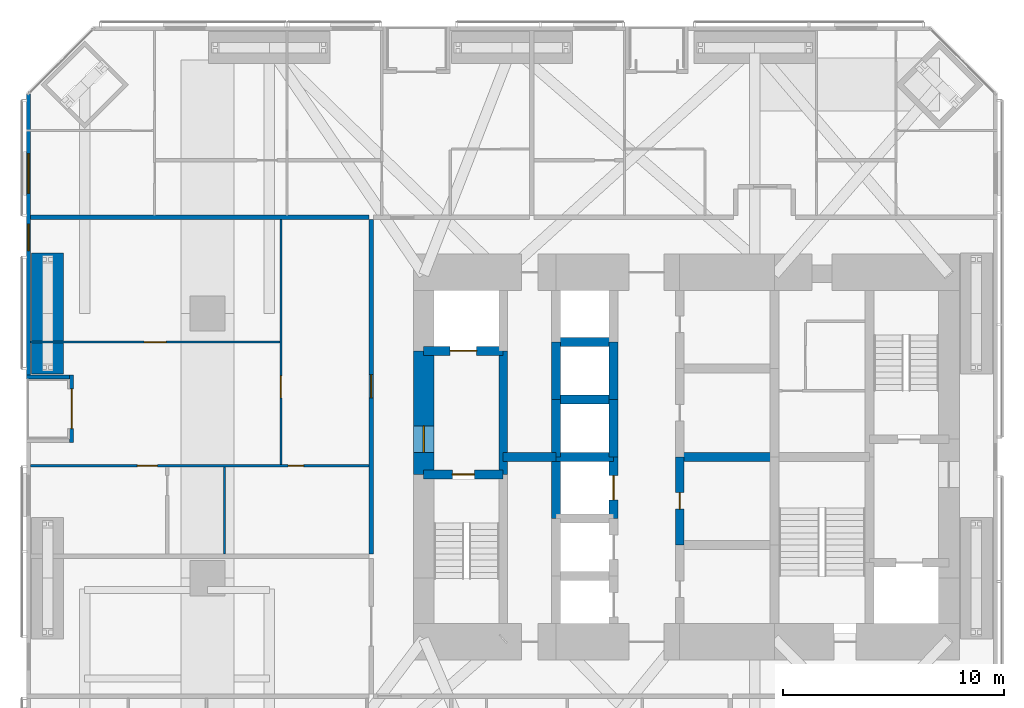
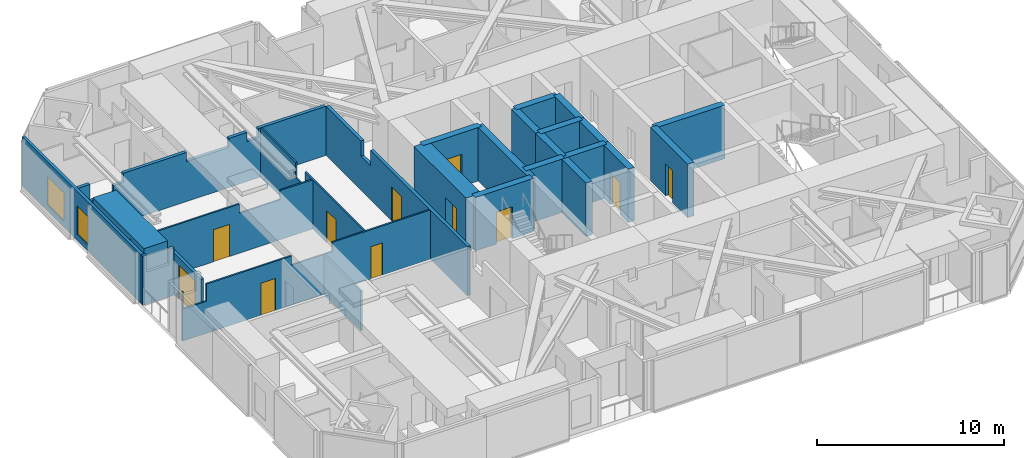
# One storey, part 17 of 22: 26 walls, 11 doors, 2 windows, 13 openings.
"""IFC4 building model written with IfcOpenShell, lengths in metres."""

from ifc_helpers import new_model, si_unit, direction, frame, frame_2d, origin, place, context, subcontext, project, spatial, polyline, rectangle, outline, extrude, material, layer, layer_set, constituent, constituent_set, type_object, element, fill, save


model = new_model("IFC4")

# Units and contexts
model_context = context("Model", 3, precision=1e-05, world=origin(), true_north=direction((0.0, 1.0)))
body_context = subcontext(model_context, "Body", "Model", "MODEL_VIEW")
ifc_project = project(units=[si_unit("LENGTHUNIT", "METRE"), si_unit("AREAUNIT", "SQUARE_METRE"), si_unit("VOLUMEUNIT", "CUBIC_METRE"), si_unit("PLANEANGLEUNIT", "RADIAN"), si_unit("MASSUNIT", "GRAM", prefix="KILO")], contexts=[model_context])

# Site, building, storey
site_placement = place(None, origin())
site = spatial("IfcSite", under=ifc_project, at=site_placement, CompositionType="ELEMENT")
building_placement = place(site_placement, origin())
building = spatial("IfcBuilding", under=site, at=building_placement, Name="Jalousie Tower", CompositionType="ELEMENT")
storey_placement = place(building_placement, frame((0.0, 0.0, 71.25)))
storey = spatial("IfcBuildingStorey", under=building, at=storey_placement, Name="L19", CompositionType="ELEMENT", Elevation=71.25)

# Walls
ifc_material_1 = material(Name="Concrete f'c 120 MPa", Category="concrete")
ifc_layer_1 = layer(ifc_material_1, 0.39990234375)
ifc_layer_set_1 = layer_set([ifc_layer_1], Name="Concrete f'c 120 MPa")
wall_type_1 = type_object("IfcWallType", Name="CORE WALL 400", PredefinedType="SHEAR", material=ifc_layer_set_1)
wall_1_placement = place(storey_placement, frame((23.60009765625, 17.699951171875, 0.0), z_axis=(0.0, 0.0, 1.0), x_axis=(0.0, 1.0, 0.0)))
element("IfcWall", 1, at=wall_1_placement, inside=storey, type_object=wall_type_1, Name="Core wall X23.6B L19", PredefinedType="SHEAR", context=body_context, shape_type="SweptSolid", body=[
    extrude(rectangle(XDim=5.60009765625, YDim=0.39990234375, at=frame_2d((2.800048828125, 0.0))), origin(), (0.0, 0.0, 1.0), 3.5),
])
wall_2_placement = place(storey_placement, frame((26.0, 15.699951171875, 0.0), z_axis=(0.0, 0.0, 1.0), x_axis=(0.0, 1.0, 0.0)))
element("IfcWall", 2, at=wall_2_placement, inside=storey, type_object=wall_type_1, Name="Core wall X26C L19", PredefinedType="SHEAR", context=body_context, shape_type="SweptSolid", body=[
    extrude(rectangle(XDim=2.800048828125, YDim=0.39990234375, at=frame_2d((1.39990234375, 0.0))), origin(), (0.0, 0.0, 1.0), 3.5),
])
wall_3_placement = place(storey_placement, frame((26.0, 18.5, 0.0), z_axis=(0.0, 0.0, 1.0), x_axis=(0.0, 1.0, 0.0)))
element("IfcWall", 3, at=wall_3_placement, inside=storey, type_object=wall_type_1, Name="Core wall X26D L19", PredefinedType="SHEAR", context=body_context, shape_type="SweptSolid", body=[
    extrude(rectangle(XDim=2.60009765625, YDim=0.39990234375, at=frame_2d((1.300048828125, 0.0))), origin(), (0.0, 0.0, 1.0), 3.5),
])
wall_4_placement = place(storey_placement, frame((26.0, 21.10009765625, 0.0), z_axis=(0.0, 0.0, 1.0), x_axis=(0.0, 1.0, 0.0)))
element("IfcWall", 4, at=wall_4_placement, inside=storey, type_object=wall_type_1, Name="Core wall X26E L19", PredefinedType="SHEAR", context=body_context, shape_type="SweptSolid", body=[
    extrude(rectangle(XDim=2.599853515625, YDim=0.39990234375, at=frame_2d((1.2998046875, 0.0))), origin(), (0.0, 0.0, 1.0), 3.5),
])

# Wall, opening, door
wall_5_placement = place(storey_placement, frame((28.60009765625, 15.699951171875, 0.0), z_axis=(0.0, 0.0, 1.0), x_axis=(0.0, 1.0, 0.0)))
wall_5 = element("IfcWall", 5, at=wall_5_placement, inside=storey, type_object=wall_type_1, Name="Core wall X28.6C L19", PredefinedType="SHEAR", context=body_context, shape_type="SweptSolid", body=[
    extrude(rectangle(XDim=2.800048828125, YDim=0.39990234375, at=frame_2d((1.39990234375, 0.0))), origin(), (0.0, 0.0, 1.0), 3.5),
])
opening_1_placement = place(wall_5_placement, frame((0.85009765625, 0.0, 0.0)))
opening_1 = element("IfcOpeningElement", 6, at=opening_1_placement, cuts=wall_5, Name="Opening LD1", PredefinedType="OPENING", context=body_context, shape_type="SweptSolid", body=[
    extrude(rectangle(XDim=1.10009765625, YDim=2.10009765625, at=frame_2d((0.550048828125, 1.050048828125))), frame((0.0, 0.2099609375, 0.0), z_axis=(0.0, -1.0, 0.0), x_axis=(1.0, 0.0, 0.0)), (0.0, 0.0, 1.0), 0.419921875),
])
ifc_material_2 = material(Name="Steel lift landing door", Category="steel")
door_type_1 = type_object("IfcDoorType", Name="LIFT LANDING DOOR 1100", OperationType="SLIDING_TO_LEFT", PredefinedType="DOOR", material=ifc_material_2)
door_1_placement = place(opening_1_placement, origin())
door_1 = element("IfcDoor", 7, at=door_1_placement, inside=storey, type_object=door_type_1, Name="Lift P3 landing door", OperationType="SLIDING_TO_LEFT", OverallHeight=2.10009765625, OverallWidth=1.10009765625, PredefinedType="DOOR", context=body_context, shape_type="SweptSolid", body=[
    extrude(rectangle(XDim=1.10009765625, YDim=2.10009765625, at=frame_2d((0.550048828125, 1.050048828125))), frame((0.0, 0.02490234375, 0.0), z_axis=(0.0, -1.0, 0.0), x_axis=(1.0, 0.0, 0.0)), (0.0, 0.0, 1.0), 0.050048828125),
])
fill(opening_1, door_1)

# Walls
wall_6_placement = place(storey_placement, frame((28.60009765625, 18.5, 0.0), z_axis=(0.0, 0.0, 1.0), x_axis=(0.0, 1.0, 0.0)))
element("IfcWall", 8, at=wall_6_placement, inside=storey, type_object=wall_type_1, Name="Core wall X28.6D L19", PredefinedType="SHEAR", context=body_context, shape_type="SweptSolid", body=[
    extrude(rectangle(XDim=2.60009765625, YDim=0.39990234375, at=frame_2d((1.300048828125, 0.0))), origin(), (0.0, 0.0, 1.0), 3.5),
])
wall_7_placement = place(storey_placement, frame((28.60009765625, 21.10009765625, 0.0), z_axis=(0.0, 0.0, 1.0), x_axis=(0.0, 1.0, 0.0)))
element("IfcWall", 9, at=wall_7_placement, inside=storey, type_object=wall_type_1, Name="Core wall X28.6E L19", PredefinedType="SHEAR", context=body_context, shape_type="SweptSolid", body=[
    extrude(rectangle(XDim=2.599853515625, YDim=0.39990234375, at=frame_2d((1.2998046875, 0.0))), origin(), (0.0, 0.0, 1.0), 3.5),
])

# Wall, opening, door
wall_8_placement = place(storey_placement, frame((31.60009765625, 14.5, 0.0), z_axis=(0.0, 0.0, 1.0), x_axis=(0.0, 1.0, 0.0)))
wall_8 = element("IfcWall", 10, at=wall_8_placement, inside=storey, type_object=wall_type_1, Name="Core wall X31.6B L19", PredefinedType="SHEAR", context=body_context, shape_type="SweptSolid", body=[
    extrude(rectangle(XDim=4.0, YDim=0.39990234375, at=frame_2d((2.0, 0.0))), origin(), (0.0, 0.0, 1.0), 3.5),
])
opening_2_placement = place(wall_8_placement, frame((1.625, 0.0, 0.0)))
opening_2 = element("IfcOpeningElement", 11, at=opening_2_placement, cuts=wall_8, Name="Opening D16", PredefinedType="OPENING", context=body_context, shape_type="SweptSolid", body=[
    extrude(rectangle(XDim=0.75, YDim=2.10009765625, at=frame_2d((0.375, 1.050048828125))), frame((0.0, 0.2099609375, 0.0), z_axis=(0.0, -1.0, 0.0), x_axis=(1.0, 0.0, 0.0)), (0.0, 0.0, 1.0), 0.419921875),
])
ifc_material_3 = material(Name="Steel fire door", Category="steel")
door_type_2 = type_object("IfcDoorType", Name="RISER DOOR 750", OperationType="SINGLE_SWING_LEFT", PredefinedType="DOOR", material=ifc_material_3)
door_2_placement = place(opening_2_placement, frame((0.75, 0.0, 0.0), z_axis=(0.0, 0.0, 1.0), x_axis=(-1.0, 0.0, 0.0)))
door_2 = element("IfcDoor", 12, at=door_2_placement, inside=storey, type_object=door_type_2, Name="Electrical Room door", OperationType="SINGLE_SWING_LEFT", OverallHeight=2.10009765625, OverallWidth=0.75, PredefinedType="DOOR", context=body_context, shape_type="SweptSolid", body=[
    extrude(rectangle(XDim=0.75, YDim=2.10009765625, at=frame_2d((0.375, 1.050048828125))), frame((0.0, 0.02490234375, 0.0), z_axis=(0.0, -1.0, 0.0), x_axis=(1.0, 0.0, 0.0)), (0.0, 0.0, 1.0), 0.050048828125),
])
fill(opening_2, door_2)

wall_9_placement = place(storey_placement, frame((20.0, 17.699951171875, 0.0), z_axis=(0.0, 0.0, 1.0), x_axis=(1.0, 0.0, 0.0)))
wall_9 = element("IfcWall", 13, at=wall_9_placement, inside=storey, type_object=wall_type_1, Name="Core wall Y20-17.7 L19", PredefinedType="SHEAR", context=body_context, shape_type="SweptSolid", body=[
    extrude(rectangle(XDim=3.60009765625, YDim=0.39990234375, at=frame_2d((1.800048828125, 0.0))), origin(), (0.0, 0.0, 1.0), 3.5),
])
opening_3_placement = place(wall_9_placement, frame((1.300048828125, 0.0, 0.0)))
opening_3 = element("IfcOpeningElement", 14, at=opening_3_placement, cuts=wall_9, Name="Opening D10", PredefinedType="OPENING", context=body_context, shape_type="SweptSolid", body=[
    extrude(rectangle(XDim=1.0, YDim=2.10009765625, at=frame_2d((0.5, 1.050048828125))), frame((0.0, 0.2099609375, 0.0), z_axis=(0.0, -1.0, 0.0), x_axis=(1.0, 0.0, 0.0)), (0.0, 0.0, 1.0), 0.419921875),
])
ifc_material_4 = material(Name="Steel fire door", Category="steel")
door_type_3 = type_object("IfcDoorType", Name="STAIR DOOR 1000", OperationType="SINGLE_SWING_LEFT", PredefinedType="DOOR", material=ifc_material_4)
door_3_placement = place(opening_3_placement, frame((1.0, 0.0, 0.0), z_axis=(0.0, 0.0, 1.0), x_axis=(-1.0, 0.0, 0.0)))
door_3 = element("IfcDoor", 15, at=door_3_placement, inside=storey, type_object=door_type_3, Name="Exit stair A door", OperationType="SINGLE_SWING_RIGHT", OverallHeight=2.10009765625, OverallWidth=1.0, PredefinedType="DOOR", context=body_context, shape_type="SweptSolid", body=[
    extrude(rectangle(XDim=1.0, YDim=2.10009765625, at=frame_2d((0.5, 1.050048828125))), frame((0.0, 0.02490234375, 0.0), z_axis=(0.0, -1.0, 0.0), x_axis=(1.0, 0.0, 0.0)), (0.0, 0.0, 1.0), 0.050048828125),
])
fill(opening_3, door_3)

wall_10_placement = place(storey_placement, frame((20.0, 23.300048828125, 0.0), z_axis=(0.0, 0.0, 1.0), x_axis=(1.0, 0.0, 0.0)))
wall_10 = element("IfcWall", 16, at=wall_10_placement, inside=storey, type_object=wall_type_1, Name="Core wall Y20-23.3 L19", PredefinedType="SHEAR", context=body_context, shape_type="SweptSolid", body=[
    extrude(rectangle(XDim=3.60009765625, YDim=0.39990234375, at=frame_2d((1.800048828125, 0.0))), origin(), (0.0, 0.0, 1.0), 3.5),
])
opening_4_placement = place(wall_10_placement, frame((1.199951171875, 0.0, 0.0)))
opening_4 = element("IfcOpeningElement", 17, at=opening_4_placement, cuts=wall_10, Name="Opening LD2", PredefinedType="OPENING", context=body_context, shape_type="SweptSolid", body=[
    extrude(rectangle(XDim=1.199951171875, YDim=2.10009765625, at=frame_2d((0.60009765625, 1.050048828125))), frame((0.0, 0.2099609375, 0.0), z_axis=(0.0, -1.0, 0.0), x_axis=(1.0, 0.0, 0.0)), (0.0, 0.0, 1.0), 0.419921875),
])
ifc_material_5 = material(Name="Steel lift landing door", Category="steel")
door_type_4 = type_object("IfcDoorType", Name="LIFT LANDING DOOR 1200", OperationType="SLIDING_TO_LEFT", PredefinedType="DOOR", material=ifc_material_5)
door_4_placement = place(opening_4_placement, origin())
door_4 = element("IfcDoor", 18, at=door_4_placement, inside=storey, type_object=door_type_4, Name="Lift F1 landing door", OperationType="SLIDING_TO_LEFT", OverallHeight=2.10009765625, OverallWidth=1.199951171875, PredefinedType="DOOR", context=body_context, shape_type="SweptSolid", body=[
    extrude(rectangle(XDim=1.199951171875, YDim=2.10009765625, at=frame_2d((0.60009765625, 1.050048828125))), frame((0.0, 0.02490234375, 0.0), z_axis=(0.0, -1.0, 0.0), x_axis=(1.0, 0.0, 0.0)), (0.0, 0.0, 1.0), 0.050048828125),
])
fill(opening_4, door_4)

# Walls
wall_11_placement = place(storey_placement, frame((23.60009765625, 18.5, 0.0), z_axis=(0.0, 0.0, 1.0), x_axis=(1.0, 0.0, 0.0)))
element("IfcWall", 19, at=wall_11_placement, inside=storey, type_object=wall_type_1, Name="Core wall Y23.6-18.5 L19", PredefinedType="SHEAR", context=body_context, shape_type="SweptSolid", body=[
    extrude(rectangle(XDim=2.39990234375, YDim=0.39990234375, at=frame_2d((1.199951171875, 0.0))), origin(), (0.0, 0.0, 1.0), 3.5),
])
for number, where, z_axis, x_axis, name in (
    (20, (26.0, 18.5, 0.0), (0.0, 0.0, 1.0), (1.0, 0.0, 0.0), "Core wall Y26-18.5 L19"),
    (21, (26.0, 21.10009765625, 0.0), (0.0, 0.0, 1.0), (1.0, 0.0, 0.0), "Core wall Y26-21.1 L19"),
    (22, (26.0, 23.699951171875, 0.0), (0.0, 0.0, 1.0), (1.0, 0.0, 0.0), "Core wall Y26-23.7 L19"),
):
    element("IfcWall", number, at=place(storey_placement, frame(where, z_axis=z_axis, x_axis=x_axis)), inside=storey, type_object=wall_type_1, Name=name, PredefinedType="SHEAR", context=body_context, shape_type="SweptSolid", body=[
        extrude(rectangle(XDim=2.60009765625, YDim=0.39990234375, at=frame_2d((1.300048828125, 0.0))), origin(), (0.0, 0.0, 1.0), 3.5),
    ])
wall_12_placement = place(storey_placement, frame((31.60009765625, 18.5, 0.0), z_axis=(0.0, 0.0, 1.0), x_axis=(1.0, 0.0, 0.0)))
element("IfcWall", 23, at=wall_12_placement, inside=storey, type_object=wall_type_1, Name="Core wall Y31.6-18.5 L19", PredefinedType="SHEAR", context=body_context, shape_type="SweptSolid", body=[
    extrude(rectangle(XDim=4.2998046875, YDim=0.39990234375, at=frame_2d((2.14990234375, 0.0))), origin(), (0.0, 0.0, 1.0), 3.5),
])

# Wall, opening, door
ifc_material_6 = material(Name="Concrete f'c 120 MPa", Category="concrete")
ifc_layer_2 = layer(ifc_material_6, 0.949951171875)
ifc_layer_set_2 = layer_set([ifc_layer_2], Name="Concrete f'c 120 MPa")
wall_type_2 = type_object("IfcWallType", Name="CORE WALL 950", PredefinedType="SHEAR", material=ifc_layer_set_2)
wall_13_placement = place(storey_placement, frame((20.0, 23.300048828125, 0.0), z_axis=(0.0, 0.0, 1.0), x_axis=(0.0, -1.0, 0.0)))
wall_13 = element("IfcWall", 24, at=wall_13_placement, inside=storey, type_object=wall_type_2, Name="Core wall WB L19", PredefinedType="SHEAR", context=body_context, shape_type="SweptSolid", body=[
    extrude(rectangle(XDim=5.60009765625, YDim=0.949951171875, at=frame_2d((2.800048828125, 0.0))), origin(), (0.0, 0.0, 1.0), 3.5),
])
opening_5_placement = place(wall_13_placement, frame((3.39990234375, 0.0, 0.0)))
opening_5 = element("IfcOpeningElement", 25, at=opening_5_placement, cuts=wall_13, Name="Opening D11", PredefinedType="OPENING", context=body_context, shape_type="SweptSolid", body=[
    extrude(rectangle(XDim=1.199951171875, YDim=2.199951171875, at=frame_2d((0.60009765625, 1.10009765625))), frame((0.0, 0.48486328125, 0.0), z_axis=(0.0, -1.0, 0.0), x_axis=(1.0, 0.0, 0.0)), (0.0, 0.0, 1.0), 0.969970703125),
])
ifc_material_7 = material(Name="Steel fire door", Category="steel")
door_type_5 = type_object("IfcDoorType", Name="FIRE DOOR 1200", OperationType="SINGLE_SWING_LEFT", PredefinedType="DOOR", material=ifc_material_7)
door_5_placement = place(opening_5_placement, origin())
door_5 = element("IfcDoor", 26, at=door_5_placement, inside=storey, type_object=door_type_5, Name="Fire-fighting lobby A door", OperationType="SINGLE_SWING_RIGHT", OverallHeight=2.199951171875, OverallWidth=1.199951171875, PredefinedType="DOOR", context=body_context, shape_type="SweptSolid", body=[
    extrude(rectangle(XDim=1.199951171875, YDim=2.199951171875, at=frame_2d((0.60009765625, 1.10009765625))), frame((0.0, 0.02490234375, 0.0), z_axis=(0.0, -1.0, 0.0), x_axis=(1.0, 0.0, 0.0)), (0.0, 0.0, 1.0), 0.050048828125),
])
fill(opening_5, door_5)

ifc_material_8 = material(Name="Concrete block ASTM C90", Category="concrete")
ifc_constituent_1 = constituent(ifc_material_8, Name="Body")
ifc_material_9 = material(Name="Render")
ifc_constituent_2 = constituent(ifc_material_9, Name="Finish")
ifc_constituent_set_1 = constituent_set(constituents=[ifc_constituent_1, ifc_constituent_2])
wall_type_3 = type_object("IfcWallType", Name="CORRIDOR WALL 200", PredefinedType="PARTITIONING", material=ifc_constituent_set_1)
wall_14_placement = place(storey_placement, frame((17.625, 14.10009765625, 0.0), z_axis=(0.0, 0.0, 1.0), x_axis=(0.0, 1.0, 0.0)))
wall_14 = element("IfcWall", 27, at=wall_14_placement, inside=storey, type_object=wall_type_3, Name="Corridor Wall 200 L19", PredefinedType="PARTITIONING", context=body_context, shape_type="SweptSolid", body=[
    extrude(outline(polyline([(0.0, 0.0), (15.14990234375, 0.0), (15.14990234375, 3.219970703125), (11.39990234375, 3.219970703125), (11.39990234375, 2.219970703125), (10.39990234375, 2.219970703125), (10.39990234375, 3.219970703125), (0.0, 3.219970703125), (0.0, 0.0)])), frame((0.0, 0.10009765625, 0.0), z_axis=(0.0, -1.0, 0.0), x_axis=(1.0, 0.0, 0.0)), (0.0, 0.0, 1.0), 0.199951171875),
])
opening_6_placement = place(wall_14_placement, frame((7.074951171875, 0.0, 0.0)))
opening_6 = element("IfcOpeningElement", 28, at=opening_6_placement, cuts=wall_14, Name="Opening D1", PredefinedType="OPENING", context=body_context, shape_type="SweptSolid", body=[
    extrude(rectangle(XDim=1.050048828125, YDim=2.199951171875, at=frame_2d((0.52490234375, 1.10009765625))), frame((0.0, 0.10986328125, 0.0), z_axis=(0.0, -1.0, 0.0), x_axis=(1.0, 0.0, 0.0)), (0.0, 0.0, 1.0), 0.219970703125),
])
ifc_material_10 = material(Name="Timber fire door", Category="wood")
door_type_6 = type_object("IfcDoorType", Name="APARTMENT ENTRANCE DOOR 1050", OperationType="SINGLE_SWING_LEFT", PredefinedType="DOOR", material=ifc_material_10)
door_6_placement = place(opening_6_placement, origin())
door_6 = element("IfcDoor", 29, at=door_6_placement, inside=storey, type_object=door_type_6, Name="Apartment 1905 entrance", OperationType="SINGLE_SWING_RIGHT", OverallHeight=2.199951171875, OverallWidth=1.050048828125, PredefinedType="DOOR", context=body_context, shape_type="SweptSolid", body=[
    extrude(rectangle(XDim=1.050048828125, YDim=2.199951171875, at=frame_2d((0.52490234375, 1.10009765625))), frame((0.0, 0.02490234375, 0.0), z_axis=(0.0, -1.0, 0.0), x_axis=(1.0, 0.0, 0.0)), (0.0, 0.0, 1.0), 0.050048828125),
])
fill(opening_6, door_6)

# Wall, openings, windows
ifc_material_11 = material(Name="Concrete f'c 40 MPa", Category="concrete")
ifc_constituent_3 = constituent(ifc_material_11, Name="Body")
ifc_material_12 = material(Name="Render, pastel coral")
ifc_constituent_4 = constituent(ifc_material_12, Name="Finish")
ifc_constituent_set_2 = constituent_set(constituents=[ifc_constituent_3, ifc_constituent_4])
wall_type_4 = type_object("IfcWallType", Name="EXTERNAL WALL 175 CORAL RENDER", PredefinedType="SOLIDWALL", material=ifc_constituent_set_2)
wall_15_placement = place(storey_placement, frame((2.08740234375, 34.94873046875, 0.0), z_axis=(0.0, 0.0, 1.0), x_axis=(0.0, -1.0, 0.0)))
wall_15 = element("IfcWall", 30, at=wall_15_placement, inside=storey, type_object=wall_type_4, Name="External Wall 175 Coral Render L19", PredefinedType="SOLIDWALL", context=body_context, shape_type="SweptSolid", body=[
    extrude(rectangle(XDim=12.748779296875, YDim=0.175048828125, at=frame_2d((6.37451171875, 0.0))), origin(), (0.0, 0.0, 1.0), 3.219970703125),
])
opening_7_placement = place(wall_15_placement, frame((2.704345703125, 0.0, 0.39990234375)))
opening_7 = element("IfcOpeningElement", 31, at=opening_7_placement, cuts=wall_15, Name="Opening W-BED185", PredefinedType="OPENING", context=body_context, shape_type="SweptSolid", body=[
    extrude(rectangle(XDim=1.800048828125, YDim=1.85009765625, at=frame_2d((0.89990234375, 0.925048828125))), frame((0.0, 0.097412109375, 0.0), z_axis=(0.0, -1.0, 0.0), x_axis=(1.0, 0.0, 0.0)), (0.0, 0.0, 1.0), 0.195068359375),
])
opening_8_placement = place(wall_15_placement, frame((5.898681640625, 0.0, 0.39990234375)))
opening_8 = element("IfcOpeningElement", 32, at=opening_8_placement, cuts=wall_15, Name="Opening W-COR185", PredefinedType="OPENING", context=body_context, shape_type="SweptSolid", body=[
    extrude(rectangle(XDim=1.199951171875, YDim=1.85009765625, at=frame_2d((0.60009765625, 0.925048828125))), frame((0.0, 0.097412109375, 0.0), z_axis=(0.0, -1.0, 0.0), x_axis=(1.0, 0.0, 0.0)), (0.0, 0.0, 1.0), 0.195068359375),
])
ifc_material_13 = material(Name="Aluminium frame, impact-rated glazing", Category="aluminium")
window_type_1 = type_object("IfcWindowType", Name="WINDOW BED 1800x1850", PartitioningType="SINGLE_PANEL", PredefinedType="WINDOW", material=ifc_material_13)
window_1_placement = place(opening_7_placement, origin())
window_1 = element("IfcWindow", 33, at=window_1_placement, inside=storey, type_object=window_type_1, Name="Apartment 1903 bedroom 1 window", OverallHeight=1.85009765625, OverallWidth=1.800048828125, PartitioningType="SINGLE_PANEL", PredefinedType="WINDOW", context=body_context, shape_type="SweptSolid", body=[
    extrude(rectangle(XDim=1.800048828125, YDim=1.85009765625, at=frame_2d((0.89990234375, 0.925048828125))), frame((0.0, 0.030029296875, 0.0), z_axis=(0.0, -1.0, 0.0), x_axis=(1.0, 0.0, 0.0)), (0.0, 0.0, 1.0), 0.06005859375),
])
fill(opening_7, window_1)
ifc_material_14 = material(Name="Aluminium frame, impact-rated glazing", Category="aluminium")
window_type_2 = type_object("IfcWindowType", Name="WINDOW COR 1200x1850", PartitioningType="SINGLE_PANEL", PredefinedType="WINDOW", material=ifc_material_14)
window_2_placement = place(opening_8_placement, origin())
window_2 = element("IfcWindow", 34, at=window_2_placement, inside=storey, type_object=window_type_2, Name="Apartment 1905 dining room window", OverallHeight=1.85009765625, OverallWidth=1.199951171875, PartitioningType="SINGLE_PANEL", PredefinedType="WINDOW", context=body_context, shape_type="SweptSolid", body=[
    extrude(rectangle(XDim=1.199951171875, YDim=1.85009765625, at=frame_2d((0.60009765625, 0.925048828125))), frame((0.0, 0.030029296875, 0.0), z_axis=(0.0, -1.0, 0.0), x_axis=(1.0, 0.0, 0.0)), (0.0, 0.0, 1.0), 0.06005859375),
])
fill(opening_8, window_2)

# Wall, opening, door
wall_16_placement = place(storey_placement, frame((4.03759765625, 22.199951171875, 0.0), z_axis=(0.0, 0.0, 1.0), x_axis=(0.0, -1.0, 0.0)))
wall_16 = element("IfcWall", 35, at=wall_16_placement, inside=storey, type_object=wall_type_4, Name="External Wall 175 Coral Render L19", PredefinedType="SOLIDWALL", context=body_context, shape_type="SweptSolid", body=[
    extrude(rectangle(XDim=3.050048828125, YDim=0.175048828125, at=frame_2d((1.52490234375, 0.0))), origin(), (0.0, 0.0, 1.0), 2.76513671875),
])
opening_9_placement = place(wall_16_placement, frame((0.625, 0.0, 0.0)))
opening_9 = element("IfcOpeningElement", 36, at=opening_9_placement, cuts=wall_16, Name="Opening D-BAL22", PredefinedType="OPENING", context=body_context, shape_type="SweptSolid", body=[
    extrude(rectangle(XDim=1.800048828125, YDim=2.25, at=frame_2d((0.89990234375, 1.125))), frame((0.0, 0.097412109375, 0.0), z_axis=(0.0, -1.0, 0.0), x_axis=(1.0, 0.0, 0.0)), (0.0, 0.0, 1.0), 0.195068359375),
])
ifc_material_15 = material(Name="Aluminium frame, impact-rated glazing", Category="aluminium")
door_type_7 = type_object("IfcDoorType", Name="BALCONY DOOR 1800x2250", OperationType="SLIDING_TO_LEFT", PredefinedType="DOOR", material=ifc_material_15)
door_7_placement = place(opening_9_placement, origin())
door_7 = element("IfcDoor", 37, at=door_7_placement, inside=storey, type_object=door_type_7, Name="Apartment 1905 living room loggia door", OperationType="SLIDING_TO_LEFT", OverallHeight=2.25, OverallWidth=1.800048828125, PredefinedType="DOOR", context=body_context, shape_type="SweptSolid", body=[
    extrude(rectangle(XDim=1.800048828125, YDim=2.25, at=frame_2d((0.89990234375, 1.125))), frame((0.0, 0.02490234375, 0.0), z_axis=(0.0, -1.0, 0.0), x_axis=(1.0, 0.0, 0.0)), (0.0, 0.0, 1.0), 0.050048828125),
])
fill(opening_9, door_7)

# Wall
wall_17_placement = place(storey_placement, frame((2.0, 22.112548828125, 0.0), z_axis=(0.0, 0.0, 1.0), x_axis=(1.0, 0.0, 0.0)))
element("IfcWall", 38, at=wall_17_placement, inside=storey, type_object=wall_type_4, Name="External Wall 175 Coral Render L19", PredefinedType="SOLIDWALL", context=body_context, shape_type="SweptSolid", body=[
    extrude(outline(polyline([(0.0, 0.0), (1.949951171875, 0.0), (1.949951171875, 3.094482421875), (1.64990234375, 3.094482421875), (1.64990234375, 2.10009765625), (0.25, 2.10009765625), (0.25, 3.219970703125), (0.0, 3.219970703125), (0.0, 0.0)])), frame((0.0, 0.08740234375, 0.0), z_axis=(0.0, -1.0, 0.0), x_axis=(1.0, 0.0, 0.0)), (0.0, 0.0, 1.0), 0.175048828125),
])

# Wall, openings, doors
ifc_material_16 = material(Name="Gypsum board", Category="gypsum")
ifc_constituent_5 = constituent(ifc_material_16, Name="Body")
ifc_material_17 = material(Name="Light-gauge steel studs ASTM A653 SS Grade 33", Category="steel")
ifc_constituent_6 = constituent(ifc_material_17, Name="Framing")
ifc_constituent_set_3 = constituent_set(constituents=[ifc_constituent_5, ifc_constituent_6])
wall_type_5 = type_object("IfcWallType", Name="PARTITION 100", PredefinedType="PARTITIONING", material=ifc_constituent_set_3)
wall_18_placement = place(storey_placement, frame((2.175048828125, 18.10009765625, 0.0), z_axis=(0.0, 0.0, 1.0), x_axis=(1.0, 0.0, 0.0)))
wall_18 = element("IfcWall", 39, at=wall_18_placement, inside=storey, type_object=wall_type_5, Name="Partition 100 L19", PredefinedType="PARTITIONING", context=body_context, shape_type="SweptSolid", body=[
    extrude(outline(polyline([(0.0, 0.0), (15.349853515625, 0.0), (15.35009765625, 3.219970703125), (9.284912109375, 3.219970703125), (9.284912109375, 2.6201171875), (6.764892578125, 2.6201171875), (6.764892578125, 3.219970703125), (1.47509765625, 3.219970703125), (1.47509765625, 2.10009765625), (0.074951171875, 2.10009765625), (0.074951171875, 3.219970703125), (0.0, 3.219970703125), (0.0, 0.0)])), frame((0.0, 0.050048828125, 0.0), z_axis=(0.0, -1.0, 0.0), x_axis=(1.0, 0.0, 0.0)), (0.0, 0.0, 1.0), 0.10009765625),
])
opening_10_placement = place(wall_18_placement, frame((4.85009765625, 0.0, 0.0)))
opening_10 = element("IfcOpeningElement", 40, at=opening_10_placement, cuts=wall_18, Name="Opening D2", PredefinedType="OPENING", context=body_context, shape_type="SweptSolid", body=[
    extrude(rectangle(XDim=0.89990234375, YDim=2.10009765625, at=frame_2d((0.449951171875, 1.050048828125))), frame((0.0, 0.06005859375, 0.0), z_axis=(0.0, -1.0, 0.0), x_axis=(1.0, 0.0, 0.0)), (0.0, 0.0, 1.0), 0.1201171875),
])
opening_11_placement = place(wall_18_placement, frame((11.675048828125, 0.0, 0.0)))
opening_11 = element("IfcOpeningElement", 41, at=opening_11_placement, cuts=wall_18, Name="Opening D4", PredefinedType="OPENING", context=body_context, shape_type="SweptSolid", body=[
    extrude(rectangle(XDim=0.699951171875, YDim=2.10009765625, at=frame_2d((0.35009765625, 1.050048828125))), frame((0.0, 0.06005859375, 0.0), z_axis=(0.0, -1.0, 0.0), x_axis=(1.0, 0.0, 0.0)), (0.0, 0.0, 1.0), 0.1201171875),
])
ifc_material_18 = material(Name="Timber door", Category="wood")
door_type_8 = type_object("IfcDoorType", Name="BEDROOM DOOR 900", OperationType="SINGLE_SWING_LEFT", PredefinedType="DOOR", material=ifc_material_18)
door_8_placement = place(opening_10_placement, frame((0.89990234375, 0.0, 0.0), z_axis=(0.0, 0.0, 1.0), x_axis=(-1.0, 0.0, 0.0)))
door_8 = element("IfcDoor", 42, at=door_8_placement, inside=storey, type_object=door_type_8, Name="Apartment 1905 bedroom 1 door", OperationType="SINGLE_SWING_LEFT", OverallHeight=2.10009765625, OverallWidth=0.89990234375, PredefinedType="DOOR", context=body_context, shape_type="SweptSolid", body=[
    extrude(rectangle(XDim=0.89990234375, YDim=2.10009765625, at=frame_2d((0.449951171875, 1.050048828125))), frame((0.0, 0.02490234375, 0.0), z_axis=(0.0, -1.0, 0.0), x_axis=(1.0, 0.0, 0.0)), (0.0, 0.0, 1.0), 0.050048828125),
])
fill(opening_10, door_8)
ifc_material_19 = material(Name="Timber door", Category="wood")
door_type_9 = type_object("IfcDoorType", Name="STORE DOOR 700", OperationType="SINGLE_SWING_LEFT", PredefinedType="DOOR", material=ifc_material_19)
door_9_placement = place(opening_11_placement, frame((0.699951171875, 0.0, 0.0), z_axis=(0.0, 0.0, 1.0), x_axis=(-1.0, 0.0, 0.0)))
door_9 = element("IfcDoor", 43, at=door_9_placement, inside=storey, type_object=door_type_9, Name="Apartment 1905 store door", OperationType="SINGLE_SWING_RIGHT", OverallHeight=2.10009765625, OverallWidth=0.699951171875, PredefinedType="DOOR", context=body_context, shape_type="SweptSolid", body=[
    extrude(rectangle(XDim=0.699951171875, YDim=2.10009765625, at=frame_2d((0.35009765625, 1.050048828125))), frame((0.0, 0.02490234375, 0.0), z_axis=(0.0, -1.0, 0.0), x_axis=(1.0, 0.0, 0.0)), (0.0, 0.0, 1.0), 0.050048828125),
])
fill(opening_11, door_9)

# Wall
wall_19_placement = place(storey_placement, frame((10.97509765625, 14.10009765625, 0.0), z_axis=(0.0, 0.0, 1.0), x_axis=(0.0, 1.0, 0.0)))
element("IfcWall", 44, at=wall_19_placement, inside=storey, type_object=wall_type_5, Name="Partition 100 L19", PredefinedType="PARTITIONING", context=body_context, shape_type="SweptSolid", body=[
    extrude(outline(polyline([(0.0, 0.0), (3.949951171875, 0.0), (3.949951171875, 3.219970703125), (3.949951171875, 2.6201171875), (0.0, 2.6201171875), (0.0, 3.219970703125), (0.0, 0.0)])), frame((0.0, 0.050048828125, 0.0), z_axis=(0.0, -1.0, 0.0), x_axis=(1.0, 0.0, 0.0)), (0.0, 0.0, 1.0), 0.10009765625),
])

# Wall, opening, door
wall_20_placement = place(storey_placement, frame((13.52490234375, 18.14990234375, 0.0), z_axis=(0.0, 0.0, 1.0), x_axis=(0.0, 1.0, 0.0)))
wall_20 = element("IfcWall", 45, at=wall_20_placement, inside=storey, type_object=wall_type_5, Name="Partition 100 L19", PredefinedType="PARTITIONING", context=body_context, shape_type="SweptSolid", body=[
    extrude(outline(polyline([(0.0, 0.0), (11.10009765625, 0.0), (11.10009765625, 3.219970703125), (7.35009765625, 3.219970703125), (7.35009765625, 2.219970703125), (6.35009765625, 2.219970703125), (6.35009765625, 3.219970703125), (0.0, 3.219970703125), (0.0, 0.0)])), frame((0.0, 0.050048828125, 0.0), z_axis=(0.0, -1.0, 0.0), x_axis=(1.0, 0.0, 0.0)), (0.0, 0.0, 1.0), 0.10009765625),
])
opening_12_placement = place(wall_20_placement, frame((3.02490234375, 0.0, 0.0)))
opening_12 = element("IfcOpeningElement", 46, at=opening_12_placement, cuts=wall_20, Name="Opening D6", PredefinedType="OPENING", context=body_context, shape_type="SweptSolid", body=[
    extrude(rectangle(XDim=1.0, YDim=2.10009765625, at=frame_2d((0.5, 1.050048828125))), frame((0.0, 0.06005859375, 0.0), z_axis=(0.0, -1.0, 0.0), x_axis=(1.0, 0.0, 0.0)), (0.0, 0.0, 1.0), 0.1201171875),
])
ifc_material_20 = material(Name="Timber door", Category="wood")
door_type_10 = type_object("IfcDoorType", Name="INTERNAL DOOR 1000", OperationType="SINGLE_SWING_LEFT", PredefinedType="DOOR", material=ifc_material_20)
door_10_placement = place(opening_12_placement, origin())
door_10 = element("IfcDoor", 47, at=door_10_placement, inside=storey, type_object=door_type_10, Name="Apartment 1905 living room door", OperationType="SINGLE_SWING_RIGHT", OverallHeight=2.10009765625, OverallWidth=1.0, PredefinedType="DOOR", context=body_context, shape_type="SweptSolid", body=[
    extrude(rectangle(XDim=1.0, YDim=2.10009765625, at=frame_2d((0.5, 1.050048828125))), frame((0.0, 0.02490234375, 0.0), z_axis=(0.0, -1.0, 0.0), x_axis=(1.0, 0.0, 0.0)), (0.0, 0.0, 1.0), 0.050048828125),
])
fill(opening_12, door_10)

wall_21_placement = place(storey_placement, frame((2.175048828125, 23.699951171875, 0.0), z_axis=(0.0, 0.0, 1.0), x_axis=(1.0, 0.0, 0.0)))
wall_21 = element("IfcWall", 48, at=wall_21_placement, inside=storey, type_object=wall_type_5, Name="Partition 100 L19", PredefinedType="PARTITIONING", context=body_context, shape_type="SweptSolid", body=[
    extrude(outline(polyline([(0.074951171875, 3.219970703125), (0.0, 3.219970703125), (0.0, 0.0), (0.52880859375, 0.0), (0.52880859375, 0.623046875), (1.021240234375, 0.623046875), (1.021240234375, 0.0), (11.300048828125, 0.0), (11.300048828125, 3.219970703125), (9.284912109375, 3.219970703125), (9.284912109375, 2.6201171875), (6.764892578125, 2.6201171875), (6.764892578125, 3.219970703125), (1.7197265625, 3.219970703125), (1.7197265625, 2.623291015625), (1.69970703125, 2.576416015625), (1.47509765625, 2.562255859375), (1.47509765625, 2.10009765625), (1.021240234375, 2.10009765625), (1.021240234375, 1.677001953125), (0.52880859375, 1.677001953125), (0.52880859375, 2.10009765625), (0.074951171875, 2.10009765625), (0.074951171875, 3.219970703125)])), frame((0.0, 0.050048828125, 0.0), z_axis=(0.0, -1.0, 0.0), x_axis=(1.0, 0.0, 0.0)), (0.0, 0.0, 1.0), 0.10009765625),
])
opening_13_placement = place(wall_21_placement, frame((5.14990234375, 0.0, 0.0)))
opening_13 = element("IfcOpeningElement", 49, at=opening_13_placement, cuts=wall_21, Name="Opening D6", PredefinedType="OPENING", context=body_context, shape_type="SweptSolid", body=[
    extrude(rectangle(XDim=1.0, YDim=2.10009765625, at=frame_2d((0.5, 1.050048828125))), frame((0.0, 0.06005859375, 0.0), z_axis=(0.0, -1.0, 0.0), x_axis=(1.0, 0.0, 0.0)), (0.0, 0.0, 1.0), 0.1201171875),
])
door_11_placement = place(opening_13_placement, origin())
door_11 = element("IfcDoor", 50, at=door_11_placement, inside=storey, type_object=door_type_10, Name="Apartment 1905 dining room door", OperationType="SINGLE_SWING_LEFT", OverallHeight=2.10009765625, OverallWidth=1.0, PredefinedType="DOOR", context=body_context, shape_type="SweptSolid", body=[
    extrude(rectangle(XDim=1.0, YDim=2.10009765625, at=frame_2d((0.5, 1.050048828125))), frame((0.0, 0.02490234375, 0.0), z_axis=(0.0, -1.0, 0.0), x_axis=(1.0, 0.0, 0.0)), (0.0, 0.0, 1.0), 0.050048828125),
])
fill(opening_13, door_11)

# Walls
ifc_material_21 = material(Name="Concrete block ASTM C90", Category="concrete")
ifc_constituent_7 = constituent(ifc_material_21, Name="Body")
ifc_material_22 = material(Name="Render")
ifc_constituent_8 = constituent(ifc_material_22, Name="Finish")
ifc_constituent_set_4 = constituent_set(constituents=[ifc_constituent_7, ifc_constituent_8])
wall_type_6 = type_object("IfcWallType", Name="PARTY WALL 200", PredefinedType="PARTITIONING", material=ifc_constituent_set_4)
wall_22_placement = place(storey_placement, frame((2.0, 29.35009765625, 0.0), z_axis=(0.0, 0.0, 1.0), x_axis=(1.0, 0.0, 0.0)))
element("IfcWall", 51, at=wall_22_placement, inside=storey, type_object=wall_type_6, Name="Party Wall 200 L19", PredefinedType="PARTITIONING", context=body_context, shape_type="SweptSolid", body=[
    extrude(outline(polyline([(0.0, 0.0), (15.52490234375, 0.0), (15.52490234375, 3.219970703125), (11.3486328125, 3.219970703125), (11.3486328125, 2.62060546875), (10.6513671875, 2.62060546875), (10.6513671875, 3.219970703125), (9.510009765625, 3.219970703125), (9.510009765625, 2.6201171875), (6.889892578125, 2.6201171875), (6.889892578125, 3.219970703125), (2.980224609375, 3.219970703125), (2.980224609375, 2.62060546875), (2.380859375, 2.62060546875), (2.380859375, 2.10009765625), (0.929931640625, 2.10009765625), (0.929931640625, 3.219970703125), (0.0, 3.219970703125), (0.0, 0.0)])), frame((0.0, 0.10009765625, 0.0), z_axis=(0.0, -1.0, 0.0), x_axis=(1.0, 0.0, 0.0)), (0.0, 0.0, 1.0), 0.199951171875),
])
ifc_material_23 = material(Name="Concrete f'c 120 MPa", Category="concrete")
ifc_layer_3 = layer(ifc_material_23, 1.449951171875)
ifc_layer_set_3 = layer_set([ifc_layer_3], Name="Concrete f'c 120 MPa")
wall_type_7 = type_object("IfcWallType", Name="RC WALL PIER 1450", PredefinedType="SHEAR", material=ifc_layer_set_3)
wall_23_placement = place(storey_placement, frame((2.949951171875, 22.25, 0.0), z_axis=(0.0, 0.0, 1.0), x_axis=(0.0, 1.0, 0.0)))
element("IfcWall", 52, at=wall_23_placement, inside=storey, type_object=wall_type_7, Name="Wall pier 13 L19", PredefinedType="SHEAR", context=body_context, shape_type="SweptSolid", body=[
    extrude(rectangle(XDim=5.5, YDim=1.449951171875, at=frame_2d((2.75, 0.0))), origin(), (0.0, 0.0, 1.0), 3.5),
])

save(model, "model.ifc")
